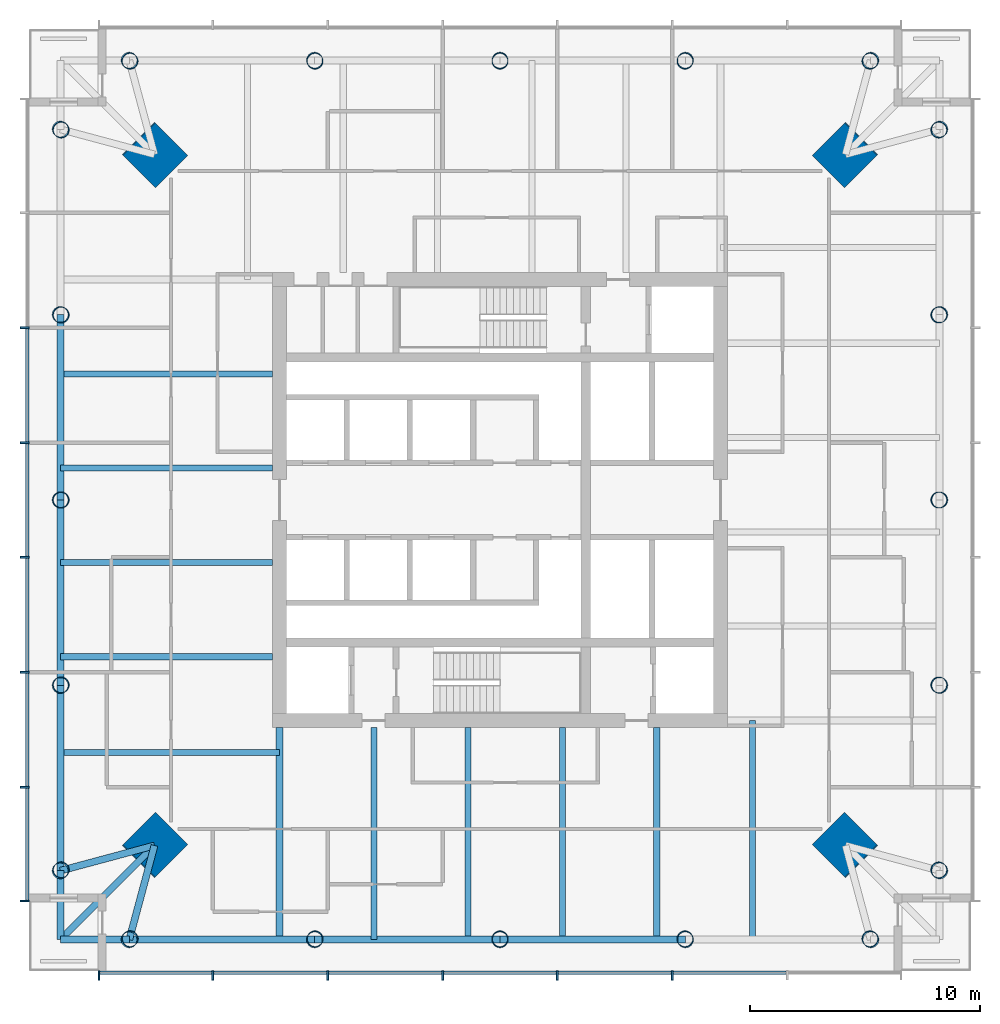
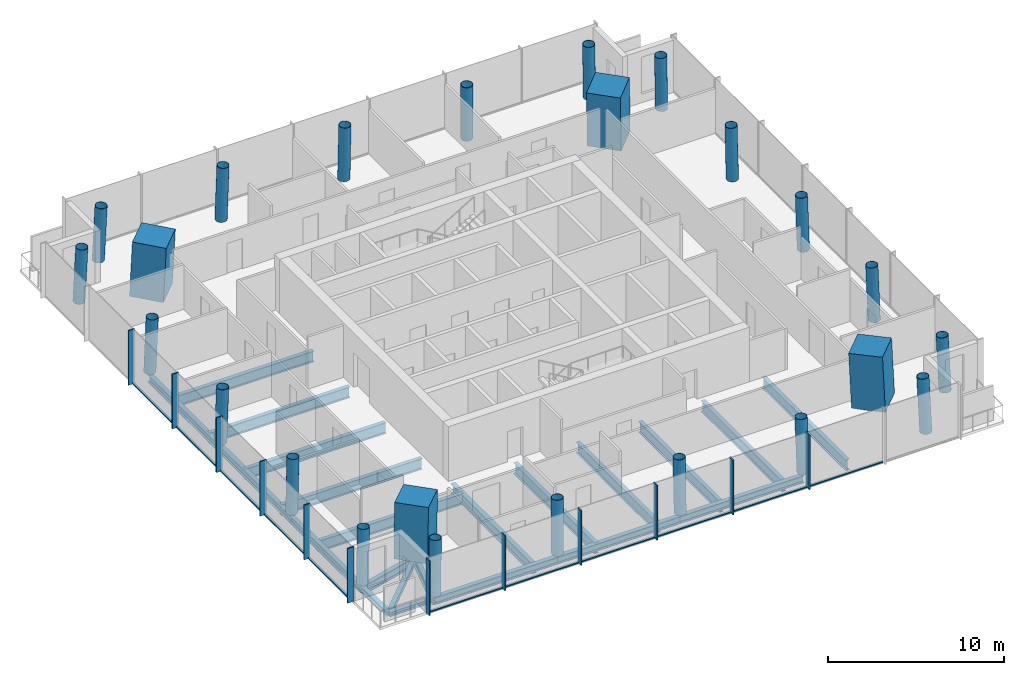
# One storey, part 1 of 8: 24 columns, 23 members, 22 beams, 2 elements without a shape of their own.
"""IFC4 building model written with IfcOpenShell, lengths in metres."""

from ifc_helpers import new_model, si_unit, direction, frame, origin, origin_2d, place, context, subcontext, project, spatial, rectangle, hollow_circle, i_section, extrude, material, material_profile, profile_set, type_object, element, aggregate, save


model = new_model("IFC4")

# Units and contexts
model_context = context("Model", 3, precision=1e-05, world=origin(), true_north=direction((0.0, 1.0)))
body_context = subcontext(model_context, "Body", "Model", "MODEL_VIEW")
ifc_project = project(units=[si_unit("LENGTHUNIT", "METRE"), si_unit("AREAUNIT", "SQUARE_METRE"), si_unit("VOLUMEUNIT", "CUBIC_METRE"), si_unit("PLANEANGLEUNIT", "RADIAN"), si_unit("MASSUNIT", "GRAM", prefix="KILO")], contexts=[model_context])

# Site, building, storey
site_placement = place(None, origin())
site = spatial("IfcSite", under=ifc_project, at=site_placement, CompositionType="ELEMENT")
building_placement = place(site_placement, origin())
building = spatial("IfcBuilding", under=site, at=building_placement, Name="Ostroluk Exchange", CompositionType="ELEMENT")
storey_placement = place(building_placement, frame((0.0, 0.0, 173.0)))
storey = spatial("IfcBuildingStorey", under=building, at=storey_placement, Name="L44", CompositionType="ELEMENT", Elevation=173.0)

# Columns
ifc_material_1 = material(Name="Concrete C50/60", Category="concrete")
ifc_material_profile_1 = material_profile(ifc_material_1, rectangle(XDim=2.0, YDim=2.0, at=origin_2d()), Name="RC 2000x2000")
ifc_profile_set_1 = profile_set([ifc_material_profile_1], Name="Concrete C50/60")
column_type_1 = type_object("IfcColumnType", Name="Mega column RC 2000x2000", PredefinedType="COLUMN", material=ifc_profile_set_1)
for number, where, z_axis, x_axis, name in (
    (1, (60.04296875, 61.04296875, 0.0), (-0.031962158256, -0.031962158256, 0.998977898093), (0.707106781187, -0.707106781187, 0.0), "T1 mega column NE"),
    (2, (29.95703125, 61.04296875, 0.0), (0.031962158256, -0.031962158256, 0.998977898093), (0.707106781187, 0.707106781187, 0.0), "T1 mega column NW"),
    (3, (29.95703125, 30.95703125, 0.0), (0.031962158256, 0.031962158256, 0.998977898093), (-0.707106781187, 0.707106781187, 0.0), "T1 mega column SW"),
    (4, (60.04296875, 30.95703125, 0.0), (-0.031962158256, 0.031962158256, 0.998977898093), (-0.707106781187, -0.707106781187, 0.0), "T1 mega column SE"),
):
    element("IfcColumn", number, at=place(storey_placement, frame(where, z_axis=z_axis, x_axis=x_axis)), inside=storey, type_object=column_type_1, Name=name, PredefinedType="COLUMN", context=body_context, shape_type="SweptSolid", body=[
        extrude(rectangle(XDim=2.0, YDim=2.0, at=origin_2d()), origin(), (0.0, 0.0, 1.0), 3.803955078125),
    ])
ifc_material_2 = material(Name="Steel S460", Category="steel")
ifc_material_profile_2 = material_profile(ifc_material_2, hollow_circle(Radius=0.35546875, WallThickness=0.02490234375, at=origin_2d()), Name="CHS 711x25")
ifc_profile_set_2 = profile_set([ifc_material_profile_2], Name="Steel S460")
column_type_2 = type_object("IfcColumnType", Name="Perimeter column CHS 711x25", PredefinedType="COLUMN", material=ifc_profile_set_2)
for number, where, z_axis, x_axis, name in (
    (5, (64.142822265625, 29.857177734375, 0.0), (-0.031898107953, 0.031898107953, 0.998981992539), (-0.707106781187, -0.707106781187, 0.0), "T1 east face column E0"),
    (6, (64.142822265625, 62.142822265625, 0.0), (-0.031898107953, -0.031898107953, 0.998981992539), (0.707106781187, -0.707106781187, 0.0), "T1 east face column E1"),
):
    element("IfcColumn", number, at=place(storey_placement, frame(where, z_axis=z_axis, x_axis=x_axis)), inside=storey, type_object=column_type_2, Name=name, PredefinedType="COLUMN", context=body_context, shape_type="SweptSolid", body=[
        extrude(hollow_circle(Radius=0.35546875, WallThickness=0.02490234375, at=origin_2d()), origin(), (0.0, 0.0, 1.0), 3.803955078125),
    ])
column_1_placement = place(storey_placement, frame((64.142822265625, 37.928466796875, 0.0), z_axis=(-0.031910269556, 0.015987237665, 0.999362868496), x_axis=(-0.447933021895, -0.894067115991, 0.0)))
element("IfcColumn", 7, at=column_1_placement, inside=storey, type_object=column_type_2, Name="T1 east face column I1", PredefinedType="COLUMN", context=body_context, shape_type="SweptSolid", body=[
    extrude(hollow_circle(Radius=0.35546875, WallThickness=0.02490234375, at=origin_2d()), origin(), (0.0, 0.0, 1.0), 3.802490234375),
])
column_2_placement = place(storey_placement, frame((64.142822265625, 46.0, 0.0), z_axis=(-0.031914348339, 0.0, 0.999490607445), x_axis=(0.0, -1.0, 0.0)))
element("IfcColumn", 8, at=column_2_placement, inside=storey, type_object=column_type_2, Name="T1 east face column I2", PredefinedType="COLUMN", context=body_context, shape_type="SweptSolid", body=[
    extrude(hollow_circle(Radius=0.35546875, WallThickness=0.02490234375, at=origin_2d()), origin(), (0.0, 0.0, 1.0), 3.802001953125),
])
column_3_placement = place(storey_placement, frame((64.142822265625, 54.071533203125, 0.0), z_axis=(-0.031910269556, -0.015987237665, 0.999362868496), x_axis=(0.447933021895, -0.894067115991, 0.0)))
element("IfcColumn", 9, at=column_3_placement, inside=storey, type_object=column_type_2, Name="T1 east face column I3", PredefinedType="COLUMN", context=body_context, shape_type="SweptSolid", body=[
    extrude(hollow_circle(Radius=0.35546875, WallThickness=0.02490234375, at=origin_2d()), origin(), (0.0, 0.0, 1.0), 3.802490234375),
])
for number, where, z_axis, x_axis, name in (
    (10, (61.142822265625, 65.142822265625, 0.0), (-0.031898107953, -0.031898107953, 0.998981992539), (0.707106781187, -0.707106781187, 0.0), "T1 north face column E0"),
    (11, (28.857177734375, 65.142822265625, 0.0), (0.031898107953, -0.031898107953, 0.998981992539), (0.707106781187, 0.707106781187, 0.0), "T1 north face column E1"),
):
    element("IfcColumn", number, at=place(storey_placement, frame(where, z_axis=z_axis, x_axis=x_axis)), inside=storey, type_object=column_type_2, Name=name, PredefinedType="COLUMN", context=body_context, shape_type="SweptSolid", body=[
        extrude(hollow_circle(Radius=0.35546875, WallThickness=0.02490234375, at=origin_2d()), origin(), (0.0, 0.0, 1.0), 3.803955078125),
    ])
column_4_placement = place(storey_placement, frame((53.071533203125, 65.142822265625, 0.0), z_axis=(-0.015987237665, -0.031910269556, 0.999362868496), x_axis=(0.894067115991, -0.447933021895, 0.0)))
element("IfcColumn", 12, at=column_4_placement, inside=storey, type_object=column_type_2, Name="T1 north face column I1", PredefinedType="COLUMN", context=body_context, shape_type="SweptSolid", body=[
    extrude(hollow_circle(Radius=0.35546875, WallThickness=0.02490234375, at=origin_2d()), origin(), (0.0, 0.0, 1.0), 3.802490234375),
])
column_5_placement = place(storey_placement, frame((45.0, 65.142822265625, 0.0), z_axis=(0.0, -0.031914348339, 0.999490607445), x_axis=(1.0, 0.0, 0.0)))
element("IfcColumn", 13, at=column_5_placement, inside=storey, type_object=column_type_2, Name="T1 north face column I2", PredefinedType="COLUMN", context=body_context, shape_type="SweptSolid", body=[
    extrude(hollow_circle(Radius=0.35546875, WallThickness=0.02490234375, at=origin_2d()), origin(), (0.0, 0.0, 1.0), 3.802001953125),
])
column_6_placement = place(storey_placement, frame((36.928466796875, 65.142822265625, 0.0), z_axis=(0.015987237665, -0.031910269556, 0.999362868496), x_axis=(0.894067115991, 0.447933021895, 0.0)))
element("IfcColumn", 14, at=column_6_placement, inside=storey, type_object=column_type_2, Name="T1 north face column I3", PredefinedType="COLUMN", context=body_context, shape_type="SweptSolid", body=[
    extrude(hollow_circle(Radius=0.35546875, WallThickness=0.02490234375, at=origin_2d()), origin(), (0.0, 0.0, 1.0), 3.802490234375),
])
for number, where, z_axis, x_axis, name in (
    (15, (25.857177734375, 62.142822265625, 0.0), (0.031898107953, -0.031898107953, 0.998981992539), (0.707106781187, 0.707106781187, 0.0), "T1 west face column E0"),
    (16, (25.857177734375, 29.857177734375, 0.0), (0.031898107953, 0.031898107953, 0.998981992539), (-0.707106781187, 0.707106781187, 0.0), "T1 west face column E1"),
):
    element("IfcColumn", number, at=place(storey_placement, frame(where, z_axis=z_axis, x_axis=x_axis)), inside=storey, type_object=column_type_2, Name=name, PredefinedType="COLUMN", context=body_context, shape_type="SweptSolid", body=[
        extrude(hollow_circle(Radius=0.35546875, WallThickness=0.02490234375, at=origin_2d()), origin(), (0.0, 0.0, 1.0), 3.803955078125),
    ])
column_7_placement = place(storey_placement, frame((25.857177734375, 54.071533203125, 0.0), z_axis=(0.031910269556, -0.015987237665, 0.999362868496), x_axis=(0.447933021895, 0.894067115991, 0.0)))
element("IfcColumn", 17, at=column_7_placement, inside=storey, type_object=column_type_2, Name="T1 west face column I1", PredefinedType="COLUMN", context=body_context, shape_type="SweptSolid", body=[
    extrude(hollow_circle(Radius=0.35546875, WallThickness=0.02490234375, at=origin_2d()), origin(), (0.0, 0.0, 1.0), 3.802490234375),
])
column_8_placement = place(storey_placement, frame((25.857177734375, 46.0, 0.0), z_axis=(0.031914348339, 0.0, 0.999490607445), x_axis=(0.0, 1.0, 0.0)))
element("IfcColumn", 18, at=column_8_placement, inside=storey, type_object=column_type_2, Name="T1 west face column I2", PredefinedType="COLUMN", context=body_context, shape_type="SweptSolid", body=[
    extrude(hollow_circle(Radius=0.35546875, WallThickness=0.02490234375, at=origin_2d()), origin(), (0.0, 0.0, 1.0), 3.802001953125),
])
column_9_placement = place(storey_placement, frame((25.857177734375, 37.928466796875, 0.0), z_axis=(0.031910269556, 0.015987237665, 0.999362868496), x_axis=(-0.447933021895, 0.894067115991, 0.0)))
element("IfcColumn", 19, at=column_9_placement, inside=storey, type_object=column_type_2, Name="T1 west face column I3", PredefinedType="COLUMN", context=body_context, shape_type="SweptSolid", body=[
    extrude(hollow_circle(Radius=0.35546875, WallThickness=0.02490234375, at=origin_2d()), origin(), (0.0, 0.0, 1.0), 3.802490234375),
])
for number, where, z_axis, x_axis, name in (
    (20, (28.857177734375, 26.857177734375, 0.0), (0.031898107953, 0.031898107953, 0.998981992539), (-0.707106781187, 0.707106781187, 0.0), "T1 south face column E0"),
    (21, (61.142822265625, 26.857177734375, 0.0), (-0.031898107953, 0.031898107953, 0.998981992539), (-0.707106781187, -0.707106781187, 0.0), "T1 south face column E1"),
):
    element("IfcColumn", number, at=place(storey_placement, frame(where, z_axis=z_axis, x_axis=x_axis)), inside=storey, type_object=column_type_2, Name=name, PredefinedType="COLUMN", context=body_context, shape_type="SweptSolid", body=[
        extrude(hollow_circle(Radius=0.35546875, WallThickness=0.02490234375, at=origin_2d()), origin(), (0.0, 0.0, 1.0), 3.803955078125),
    ])
column_10_placement = place(storey_placement, frame((36.928466796875, 26.857177734375, 0.0), z_axis=(0.015987237665, 0.031910269556, 0.999362868496), x_axis=(-0.894067115991, 0.447933021895, 0.0)))
element("IfcColumn", 22, at=column_10_placement, inside=storey, type_object=column_type_2, Name="T1 south face column I1", PredefinedType="COLUMN", context=body_context, shape_type="SweptSolid", body=[
    extrude(hollow_circle(Radius=0.35546875, WallThickness=0.02490234375, at=origin_2d()), origin(), (0.0, 0.0, 1.0), 3.802490234375),
])
column_11_placement = place(storey_placement, frame((45.0, 26.857177734375, 0.0), z_axis=(0.0, 0.031914348339, 0.999490607445), x_axis=(-1.0, 0.0, 0.0)))
element("IfcColumn", 23, at=column_11_placement, inside=storey, type_object=column_type_2, Name="T1 south face column I2", PredefinedType="COLUMN", context=body_context, shape_type="SweptSolid", body=[
    extrude(hollow_circle(Radius=0.35546875, WallThickness=0.02490234375, at=origin_2d()), origin(), (0.0, 0.0, 1.0), 3.802001953125),
])
column_12_placement = place(storey_placement, frame((53.071533203125, 26.857177734375, 0.0), z_axis=(-0.015987237665, 0.031910269556, 0.999362868496), x_axis=(-0.894067115991, -0.447933021895, 0.0)))
element("IfcColumn", 24, at=column_12_placement, inside=storey, type_object=column_type_2, Name="T1 south face column I3", PredefinedType="COLUMN", context=body_context, shape_type="SweptSolid", body=[
    extrude(hollow_circle(Radius=0.35546875, WallThickness=0.02490234375, at=origin_2d()), origin(), (0.0, 0.0, 1.0), 3.802490234375),
])

# Beams
ifc_material_3 = material(Name="Steel S355", Category="steel")
ifc_material_profile_3 = material_profile(ifc_material_3, i_section(OverallWidth=0.300048828125, OverallDepth=0.300048828125, WebThickness=0.010986328125, FlangeThickness=0.01904296875, FilletRadius=0.027099609375, at=origin_2d()), Name="HEB 300")
ifc_profile_set_3 = profile_set([ifc_material_profile_3], Name="Steel S355")
beam_type_1 = type_object("IfcBeamType", Name="Balcony beam HEB 300", PredefinedType="BEAM", material=ifc_profile_set_3)
for number, where, z_axis, x_axis, name in (
    (25, (25.857177734375, 29.857177734375, -0.330078125), (0.0, -1.0, 0.0), (1.0, 0.0, 0.0), "T1 west balcony beam a"),
    (26, (28.857177734375, 26.857177734375, -0.330078125), (-1.0, 0.0, 0.0), (0.0, -1.0, 0.0), "T1 west balcony beam b"),
):
    element("IfcBeam", number, at=place(storey_placement, frame(where, z_axis=z_axis, x_axis=x_axis)), inside=storey, type_object=beam_type_1, Name=name, PredefinedType="BEAM", context=body_context, shape_type="SweptSolid", body=[
        extrude(i_section(OverallWidth=0.300048828125, OverallDepth=0.300048828125, WebThickness=0.010986328125, FlangeThickness=0.01904296875, FilletRadius=0.027099609375, at=origin_2d()), origin(), (0.0, 0.0, 1.0), 3.0),
    ])
beam_1_placement = place(storey_placement, frame((29.95703125, 30.95703125, -0.330078125), z_axis=(-0.707106781187, -0.707106781187, 0.0), x_axis=(0.707106781187, -0.707106781187, 0.0)))
element("IfcBeam", 27, at=beam_1_placement, inside=storey, type_object=beam_type_1, Name="T1 west balcony beam c", PredefinedType="BEAM", context=body_context, shape_type="SweptSolid", body=[
    extrude(i_section(OverallWidth=0.300048828125, OverallDepth=0.300048828125, WebThickness=0.010986328125, FlangeThickness=0.01904296875, FilletRadius=0.027099609375, at=origin_2d()), origin(), (0.0, 0.0, 1.0), 5.798095703125),
])
ifc_material_4 = material(Name="Steel S355", Category="steel")
ifc_material_profile_4 = material_profile(ifc_material_4, i_section(OverallWidth=0.300048828125, OverallDepth=0.60009765625, WebThickness=0.015380859375, FlangeThickness=0.030029296875, FilletRadius=0.027099609375, at=origin_2d()), Name="HEB 600")
ifc_profile_set_4 = profile_set([ifc_material_profile_4], Name="Steel S355")
beam_type_2 = type_object("IfcBeamType", Name="Corner edge beam HEB 600", PredefinedType="SPANDREL", material=ifc_profile_set_4)
for number, where, z_axis, x_axis, name in (
    (28, (29.95703125, 30.95703125, -0.47998046875), (-0.965849156574, -0.259105011038, 0.0), (0.259105011038, -0.965849156574, 0.0), "T1 west corner edge beam a"),
    (29, (29.95703125, 30.95703125, -0.47998046875), (-0.259105011038, -0.965849156574, 0.0), (0.965849156574, -0.259105011038, 0.0), "T1 west corner edge beam b"),
):
    element("IfcBeam", number, at=place(storey_placement, frame(where, z_axis=z_axis, x_axis=x_axis)), inside=storey, type_object=beam_type_2, Name=name, PredefinedType="SPANDREL", context=body_context, shape_type="SweptSolid", body=[
        extrude(i_section(OverallWidth=0.300048828125, OverallDepth=0.60009765625, WebThickness=0.015380859375, FlangeThickness=0.030029296875, FilletRadius=0.027099609375, at=origin_2d()), origin(), (0.0, 0.0, 1.0), 4.244873046875),
    ])
ifc_material_5 = material(Name="Steel S355", Category="steel")
ifc_material_profile_5 = material_profile(ifc_material_5, i_section(OverallWidth=0.264892578125, OverallDepth=0.7529296875, WebThickness=0.01318359375, FlangeThickness=0.01708984375, FilletRadius=0.01708984375, at=origin_2d()), Name="IPE 750x147")
ifc_profile_set_5 = profile_set([ifc_material_profile_5], Name="Steel S355")
beam_type_3 = type_object("IfcBeamType", Name="Floor beam IPE 750x147", PredefinedType="BEAM", material=ifc_profile_set_5)
for number, where, z_axis, x_axis, name in (
    (30, (35.10009765625, 51.493896484375, -0.556396484375), (-1.0, 0.0, 0.0), (0.0, -1.0, 0.0), "T1 west floor beam 1"),
    (31, (35.10009765625, 47.3876953125, -0.556396484375), (-1.0, 0.0, 0.0), (0.0, -1.0, 0.0), "T1 west floor beam 2"),
    (32, (35.10009765625, 43.28173828125, -0.556396484375), (-1.0, 0.0, 0.0), (0.0, -1.0, 0.0), "T1 west floor beam 3"),
    (33, (35.10009765625, 39.175537109375, -0.556396484375), (-1.0, 0.0, 0.0), (0.0, -1.0, 0.0), "T1 west floor beam 4"),
):
    element("IfcBeam", number, at=place(storey_placement, frame(where, z_axis=z_axis, x_axis=x_axis)), inside=storey, type_object=beam_type_3, Name=name, PredefinedType="BEAM", context=body_context, shape_type="SweptSolid", body=[
        extrude(i_section(OverallWidth=0.264892578125, OverallDepth=0.7529296875, WebThickness=0.01318359375, FlangeThickness=0.01708984375, FilletRadius=0.01708984375, at=origin_2d()), origin(), (0.0, 0.0, 1.0), 9.242919921875),
    ])
beam_2_placement = place(storey_placement, frame((35.39990234375, 35.0, -0.556396484375), z_axis=(-1.0, 0.0, 0.0), x_axis=(0.0, -1.0, 0.0)))
element("IfcBeam", 34, at=beam_2_placement, inside=storey, type_object=beam_type_3, Name="T1 west floor beam 5", PredefinedType="BEAM", context=body_context, shape_type="SweptSolid", body=[
    extrude(i_section(OverallWidth=0.264892578125, OverallDepth=0.7529296875, WebThickness=0.01318359375, FlangeThickness=0.01708984375, FilletRadius=0.01708984375, at=origin_2d()), origin(), (0.0, 0.0, 1.0), 9.542724609375),
])
for number, where, z_axis, x_axis, name in (
    (35, (39.506103515625, 36.10009765625, -0.556396484375), (0.0, -1.0, 0.0), (1.0, 0.0, 0.0), "T1 south floor beam 1"),
    (36, (43.6123046875, 36.10009765625, -0.556396484375), (0.0, -1.0, 0.0), (1.0, 0.0, 0.0), "T1 south floor beam 2"),
    (37, (47.71826171875, 36.10009765625, -0.556396484375), (0.0, -1.0, 0.0), (1.0, 0.0, 0.0), "T1 south floor beam 3"),
    (38, (51.824462890625, 36.10009765625, -0.556396484375), (0.0, -1.0, 0.0), (1.0, 0.0, 0.0), "T1 south floor beam 4"),
):
    element("IfcBeam", number, at=place(storey_placement, frame(where, z_axis=z_axis, x_axis=x_axis)), inside=storey, type_object=beam_type_3, Name=name, PredefinedType="BEAM", context=body_context, shape_type="SweptSolid", body=[
        extrude(i_section(OverallWidth=0.264892578125, OverallDepth=0.7529296875, WebThickness=0.01318359375, FlangeThickness=0.01708984375, FilletRadius=0.01708984375, at=origin_2d()), origin(), (0.0, 0.0, 1.0), 9.242919921875),
    ])
beam_3_placement = place(storey_placement, frame((56.0, 36.39990234375, -0.556396484375), z_axis=(0.0, -1.0, 0.0), x_axis=(1.0, 0.0, 0.0)))
element("IfcBeam", 39, at=beam_3_placement, inside=storey, type_object=beam_type_3, Name="T1 south floor beam 5", PredefinedType="BEAM", context=body_context, shape_type="SweptSolid", body=[
    extrude(i_section(OverallWidth=0.264892578125, OverallDepth=0.7529296875, WebThickness=0.01318359375, FlangeThickness=0.01708984375, FilletRadius=0.01708984375, at=origin_2d()), origin(), (0.0, 0.0, 1.0), 9.542724609375),
])
ifc_material_6 = material(Name="Steel S355", Category="steel")
ifc_material_profile_6 = material_profile(ifc_material_6, i_section(OverallWidth=0.300048828125, OverallDepth=0.699951171875, WebThickness=0.01708984375, FlangeThickness=0.031982421875, FilletRadius=0.027099609375, at=origin_2d()), Name="HEB 700")
ifc_profile_set_6 = profile_set([ifc_material_profile_6], Name="Steel S355")
beam_type_4 = type_object("IfcBeamType", Name="Girder HEB 700", PredefinedType="BEAM", material=ifc_profile_set_6)
beam_4_placement = place(storey_placement, frame((35.39990234375, 36.10009765625, -0.530029296875), z_axis=(0.0, -1.0, 0.0), x_axis=(1.0, 0.0, 0.0)))
element("IfcBeam", 40, at=beam_4_placement, inside=storey, type_object=beam_type_4, Name="T1 west girder", PredefinedType="BEAM", context=body_context, shape_type="SweptSolid", body=[
    extrude(i_section(OverallWidth=0.300048828125, OverallDepth=0.699951171875, WebThickness=0.01708984375, FlangeThickness=0.031982421875, FilletRadius=0.027099609375, at=origin_2d()), origin(), (0.0, 0.0, 1.0), 9.242919921875),
])
ifc_material_7 = material(Name="Steel S355", Category="steel")
ifc_material_profile_7 = material_profile(ifc_material_7, i_section(OverallWidth=0.300048828125, OverallDepth=0.5, WebThickness=0.014404296875, FlangeThickness=0.028076171875, FilletRadius=0.027099609375, at=origin_2d()), Name="HEB 500")
ifc_profile_set_7 = profile_set([ifc_material_profile_7], Name="Steel S355")
beam_type_5 = type_object("IfcBeamType", Name="Moment-connected edge beam HEB 500", PredefinedType="SPANDREL", material=ifc_profile_set_7)
for number, where, z_axis, x_axis, name in (
    (41, (25.857177734375, 54.071533203125, -0.429931640625), (0.0, -1.0, 0.0), (1.0, 0.0, 0.0), "T1 west edge beam 2"),
    (42, (25.857177734375, 46.0, -0.429931640625), (0.0, -1.0, 0.0), (1.0, 0.0, 0.0), "T1 west edge beam 3"),
):
    element("IfcBeam", number, at=place(storey_placement, frame(where, z_axis=z_axis, x_axis=x_axis)), inside=storey, type_object=beam_type_5, Name=name, PredefinedType="SPANDREL", context=body_context, shape_type="SweptSolid", body=[
        extrude(i_section(OverallWidth=0.300048828125, OverallDepth=0.5, WebThickness=0.014404296875, FlangeThickness=0.028076171875, FilletRadius=0.027099609375, at=origin_2d()), origin(), (0.0, 0.0, 1.0), 8.071533203125),
    ])
for number, where, z_axis, x_axis, name in (
    (43, (25.857177734375, 37.928466796875, -0.429931640625), (0.0, -1.0, 0.0), (1.0, 0.0, 0.0), "T1 west edge beam 4"),
    (44, (28.857177734375, 26.857177734375, -0.429931640625), (1.0, 0.0, 0.0), (0.0, 1.0, 0.0), "T1 south edge beam 1"),
):
    element("IfcBeam", number, at=place(storey_placement, frame(where, z_axis=z_axis, x_axis=x_axis)), inside=storey, type_object=beam_type_5, Name=name, PredefinedType="SPANDREL", context=body_context, shape_type="SweptSolid", body=[
        extrude(i_section(OverallWidth=0.300048828125, OverallDepth=0.5, WebThickness=0.014404296875, FlangeThickness=0.028076171875, FilletRadius=0.027099609375, at=origin_2d()), origin(), (0.0, 0.0, 1.0), 8.0712890625),
    ])
for number, where, z_axis, x_axis, name in (
    (45, (36.928466796875, 26.857177734375, -0.429931640625), (1.0, 0.0, 0.0), (0.0, 1.0, 0.0), "T1 south edge beam 2"),
    (46, (45.0, 26.857177734375, -0.429931640625), (1.0, 0.0, 0.0), (0.0, 1.0, 0.0), "T1 south edge beam 3"),
):
    element("IfcBeam", number, at=place(storey_placement, frame(where, z_axis=z_axis, x_axis=x_axis)), inside=storey, type_object=beam_type_5, Name=name, PredefinedType="SPANDREL", context=body_context, shape_type="SweptSolid", body=[
        extrude(i_section(OverallWidth=0.300048828125, OverallDepth=0.5, WebThickness=0.014404296875, FlangeThickness=0.028076171875, FilletRadius=0.027099609375, at=origin_2d()), origin(), (0.0, 0.0, 1.0), 8.071533203125),
    ])

# Curtain wall, members
ifc_material_8 = material(Name="Laminated clear glass", Category="glass")
curtain_wall_type = type_object("IfcCurtainWallType", Name="Office tower facade", PredefinedType="USERDEFINED", material=ifc_material_8)
curtain_wall_1_placement = place(storey_placement, origin())
curtain_wall_1 = element("IfcCurtainWall", 47, at=curtain_wall_1_placement, inside=storey, type_object=curtain_wall_type, Name="Office tower south facade L44", ObjectType="UNITISED CURTAIN WALL", PredefinedType="USERDEFINED")
ifc_material_9 = material(Name="Aluminium mullion", Category="aluminium")
ifc_material_profile_8 = material_profile(ifc_material_9, rectangle(XDim=0.14990234375, YDim=0.080078125, at=origin_2d()), Name="Sill transom 80 x 150")
ifc_profile_set_8 = profile_set([ifc_material_profile_8], Name="Aluminium mullion")
member_type_1 = type_object("IfcMemberType", Name="Sill transom 80 x 150", PredefinedType="USERDEFINED", material=ifc_profile_set_8)
member_1_placement = place(storey_placement, frame((27.580078125, 25.425048828125, 0.0400390625), z_axis=(1.0, 0.0, 0.0), x_axis=(0.0, 1.0, 0.0)))
member_1 = element("IfcMember", 48, at=member_1_placement, type_object=member_type_1, Name="CW-O1 transom 1.1", ObjectType="TRANSOM", PredefinedType="USERDEFINED", context=body_context, shape_type="SweptSolid", body=[
    extrude(rectangle(XDim=0.14990234375, YDim=0.080078125, at=origin_2d()), origin(), (0.0, 0.0, 1.0), 4.8798828125),
])
member_2_placement = place(storey_placement, frame((32.5400390625, 25.425048828125, 0.0400390625), z_axis=(1.0, 0.0, 0.0), x_axis=(0.0, 1.0, 0.0)))
member_2 = element("IfcMember", 49, at=member_2_placement, type_object=member_type_1, Name="CW-O1 transom 2.1", ObjectType="TRANSOM", PredefinedType="USERDEFINED", context=body_context, shape_type="SweptSolid", body=[
    extrude(rectangle(XDim=0.14990234375, YDim=0.080078125, at=origin_2d()), origin(), (0.0, 0.0, 1.0), 4.919921875),
])
member_3_placement = place(storey_placement, frame((37.5400390625, 25.425048828125, 0.0400390625), z_axis=(1.0, 0.0, 0.0), x_axis=(0.0, 1.0, 0.0)))
member_3 = element("IfcMember", 50, at=member_3_placement, type_object=member_type_1, Name="CW-O1 transom 3.1", ObjectType="TRANSOM", PredefinedType="USERDEFINED", context=body_context, shape_type="SweptSolid", body=[
    extrude(rectangle(XDim=0.14990234375, YDim=0.080078125, at=origin_2d()), origin(), (0.0, 0.0, 1.0), 4.919921875),
])
member_4_placement = place(storey_placement, frame((42.5400390625, 25.425048828125, 0.0400390625), z_axis=(1.0, 0.0, 0.0), x_axis=(0.0, 1.0, 0.0)))
member_4 = element("IfcMember", 51, at=member_4_placement, type_object=member_type_1, Name="CW-O1 transom 4.1", ObjectType="TRANSOM", PredefinedType="USERDEFINED", context=body_context, shape_type="SweptSolid", body=[
    extrude(rectangle(XDim=0.14990234375, YDim=0.080078125, at=origin_2d()), origin(), (0.0, 0.0, 1.0), 4.919921875),
])
member_5_placement = place(storey_placement, frame((47.5400390625, 25.425048828125, 0.0400390625), z_axis=(1.0, 0.0, 0.0), x_axis=(0.0, 1.0, 0.0)))
member_5 = element("IfcMember", 52, at=member_5_placement, type_object=member_type_1, Name="CW-O1 transom 5.1", ObjectType="TRANSOM", PredefinedType="USERDEFINED", context=body_context, shape_type="SweptSolid", body=[
    extrude(rectangle(XDim=0.14990234375, YDim=0.080078125, at=origin_2d()), origin(), (0.0, 0.0, 1.0), 4.919921875),
])
member_6_placement = place(storey_placement, frame((52.5400390625, 25.425048828125, 0.0400390625), z_axis=(1.0, 0.0, 0.0), x_axis=(0.0, 1.0, 0.0)))
member_6 = element("IfcMember", 53, at=member_6_placement, type_object=member_type_1, Name="CW-O1 transom 6.1", ObjectType="TRANSOM", PredefinedType="USERDEFINED", context=body_context, shape_type="SweptSolid", body=[
    extrude(rectangle(XDim=0.14990234375, YDim=0.080078125, at=origin_2d()), origin(), (0.0, 0.0, 1.0), 4.919921875),
])

curtain_wall_2_placement = place(storey_placement, origin())
curtain_wall_2 = element("IfcCurtainWall", 54, at=curtain_wall_2_placement, inside=storey, type_object=curtain_wall_type, Name="Office tower west facade L44", ObjectType="UNITISED CURTAIN WALL", PredefinedType="USERDEFINED")
member_7_placement = place(storey_placement, frame((24.425048828125, 53.4599609375, 0.0400390625), z_axis=(0.0, -1.0, 0.0), x_axis=(1.0, 0.0, 0.0)))
member_7 = element("IfcMember", 55, at=member_7_placement, type_object=member_type_1, Name="CW-O1 transom 3.1", ObjectType="TRANSOM", PredefinedType="USERDEFINED", context=body_context, shape_type="SweptSolid", body=[
    extrude(rectangle(XDim=0.14990234375, YDim=0.080078125, at=origin_2d()), origin(), (0.0, 0.0, 1.0), 4.919921875),
])
member_8_placement = place(storey_placement, frame((24.425048828125, 48.4599609375, 0.0400390625), z_axis=(0.0, -1.0, 0.0), x_axis=(1.0, 0.0, 0.0)))
member_8 = element("IfcMember", 56, at=member_8_placement, type_object=member_type_1, Name="CW-O1 transom 4.1", ObjectType="TRANSOM", PredefinedType="USERDEFINED", context=body_context, shape_type="SweptSolid", body=[
    extrude(rectangle(XDim=0.14990234375, YDim=0.080078125, at=origin_2d()), origin(), (0.0, 0.0, 1.0), 4.919921875),
])
member_9_placement = place(storey_placement, frame((24.425048828125, 43.4599609375, 0.0400390625), z_axis=(0.0, -1.0, 0.0), x_axis=(1.0, 0.0, 0.0)))
member_9 = element("IfcMember", 57, at=member_9_placement, type_object=member_type_1, Name="CW-O1 transom 5.1", ObjectType="TRANSOM", PredefinedType="USERDEFINED", context=body_context, shape_type="SweptSolid", body=[
    extrude(rectangle(XDim=0.14990234375, YDim=0.080078125, at=origin_2d()), origin(), (0.0, 0.0, 1.0), 4.919921875),
])
member_10_placement = place(storey_placement, frame((24.425048828125, 38.4599609375, 0.0400390625), z_axis=(0.0, -1.0, 0.0), x_axis=(1.0, 0.0, 0.0)))
member_10 = element("IfcMember", 58, at=member_10_placement, type_object=member_type_1, Name="CW-O1 transom 6.1", ObjectType="TRANSOM", PredefinedType="USERDEFINED", context=body_context, shape_type="SweptSolid", body=[
    extrude(rectangle(XDim=0.14990234375, YDim=0.080078125, at=origin_2d()), origin(), (0.0, 0.0, 1.0), 4.919921875),
])
member_11_placement = place(storey_placement, frame((24.425048828125, 33.4599609375, 0.0400390625), z_axis=(0.0, -1.0, 0.0), x_axis=(1.0, 0.0, 0.0)))
member_11 = element("IfcMember", 59, at=member_11_placement, type_object=member_type_1, Name="CW-O1 transom 7.1", ObjectType="TRANSOM", PredefinedType="USERDEFINED", context=body_context, shape_type="SweptSolid", body=[
    extrude(rectangle(XDim=0.14990234375, YDim=0.080078125, at=origin_2d()), origin(), (0.0, 0.0, 1.0), 4.8798828125),
])

# Member
ifc_material_10 = material(Name="Aluminium mullion with limestone facing", Category="masonry")
ifc_material_profile_9 = material_profile(ifc_material_10, rectangle(XDim=0.39990234375, YDim=0.080078125, at=origin_2d()), Name="Tracery mullion 80 x 400")
ifc_profile_set_9 = profile_set([ifc_material_profile_9], Name="Aluminium mullion with limestone facing")
member_type_2 = type_object("IfcMemberType", Name="Tracery mullion 80 x 400", PredefinedType="MULLION", material=ifc_profile_set_9)
member_12_placement = place(storey_placement, frame((27.5400390625, 25.300048828125, 0.0), z_axis=(0.0, 0.0, 1.0), x_axis=(0.0, 1.0, 0.0)))
member_12 = element("IfcMember", 60, at=member_12_placement, type_object=member_type_2, Name="CW-O1 mullion 1", PredefinedType="MULLION", context=body_context, shape_type="SweptSolid", body=[
    extrude(rectangle(XDim=0.39990234375, YDim=0.080078125, at=origin_2d()), origin(), (0.0, 0.0, 1.0), 3.800048828125),
])

member_13_placement = place(storey_placement, frame((32.5, 25.300048828125, 0.0), z_axis=(0.0, 0.0, 1.0), x_axis=(0.0, 1.0, 0.0)))
member_13 = element("IfcMember", 61, at=member_13_placement, type_object=member_type_2, Name="CW-O1 mullion 2", PredefinedType="MULLION", context=body_context, shape_type="SweptSolid", body=[
    extrude(rectangle(XDim=0.39990234375, YDim=0.080078125, at=origin_2d()), origin(), (0.0, 0.0, 1.0), 3.800048828125),
])

member_14_placement = place(storey_placement, frame((37.5, 25.300048828125, 0.0), z_axis=(0.0, 0.0, 1.0), x_axis=(0.0, 1.0, 0.0)))
member_14 = element("IfcMember", 62, at=member_14_placement, type_object=member_type_2, Name="CW-O1 mullion 3", PredefinedType="MULLION", context=body_context, shape_type="SweptSolid", body=[
    extrude(rectangle(XDim=0.39990234375, YDim=0.080078125, at=origin_2d()), origin(), (0.0, 0.0, 1.0), 3.800048828125),
])

member_15_placement = place(storey_placement, frame((42.5, 25.300048828125, 0.0), z_axis=(0.0, 0.0, 1.0), x_axis=(0.0, 1.0, 0.0)))
member_15 = element("IfcMember", 63, at=member_15_placement, type_object=member_type_2, Name="CW-O1 mullion 4", PredefinedType="MULLION", context=body_context, shape_type="SweptSolid", body=[
    extrude(rectangle(XDim=0.39990234375, YDim=0.080078125, at=origin_2d()), origin(), (0.0, 0.0, 1.0), 3.800048828125),
])

member_16_placement = place(storey_placement, frame((47.5, 25.300048828125, 0.0), z_axis=(0.0, 0.0, 1.0), x_axis=(0.0, 1.0, 0.0)))
member_16 = element("IfcMember", 64, at=member_16_placement, type_object=member_type_2, Name="CW-O1 mullion 5", PredefinedType="MULLION", context=body_context, shape_type="SweptSolid", body=[
    extrude(rectangle(XDim=0.39990234375, YDim=0.080078125, at=origin_2d()), origin(), (0.0, 0.0, 1.0), 3.800048828125),
])

member_17_placement = place(storey_placement, frame((52.5, 25.300048828125, 0.0), z_axis=(0.0, 0.0, 1.0), x_axis=(0.0, 1.0, 0.0)))
member_17 = element("IfcMember", 65, at=member_17_placement, type_object=member_type_2, Name="CW-O1 mullion 6", PredefinedType="MULLION", context=body_context, shape_type="SweptSolid", body=[
    extrude(rectangle(XDim=0.39990234375, YDim=0.080078125, at=origin_2d()), origin(), (0.0, 0.0, 1.0), 3.800048828125),
])

aggregate(curtain_wall_1, [member_12, member_13, member_14, member_15, member_16, member_17, member_1, member_2, member_3, member_4, member_5, member_6])

member_18_placement = place(storey_placement, frame((24.300048828125, 53.5, 0.0), z_axis=(0.0, 0.0, 1.0), x_axis=(1.0, 0.0, 0.0)))
member_18 = element("IfcMember", 66, at=member_18_placement, type_object=member_type_2, Name="CW-O1 mullion 3", PredefinedType="MULLION", context=body_context, shape_type="SweptSolid", body=[
    extrude(rectangle(XDim=0.39990234375, YDim=0.080078125, at=origin_2d()), origin(), (0.0, 0.0, 1.0), 3.800048828125),
])

member_19_placement = place(storey_placement, frame((24.300048828125, 48.5, 0.0), z_axis=(0.0, 0.0, 1.0), x_axis=(1.0, 0.0, 0.0)))
member_19 = element("IfcMember", 67, at=member_19_placement, type_object=member_type_2, Name="CW-O1 mullion 4", PredefinedType="MULLION", context=body_context, shape_type="SweptSolid", body=[
    extrude(rectangle(XDim=0.39990234375, YDim=0.080078125, at=origin_2d()), origin(), (0.0, 0.0, 1.0), 3.800048828125),
])

member_20_placement = place(storey_placement, frame((24.300048828125, 43.5, 0.0), z_axis=(0.0, 0.0, 1.0), x_axis=(1.0, 0.0, 0.0)))
member_20 = element("IfcMember", 68, at=member_20_placement, type_object=member_type_2, Name="CW-O1 mullion 5", PredefinedType="MULLION", context=body_context, shape_type="SweptSolid", body=[
    extrude(rectangle(XDim=0.39990234375, YDim=0.080078125, at=origin_2d()), origin(), (0.0, 0.0, 1.0), 3.800048828125),
])

member_21_placement = place(storey_placement, frame((24.300048828125, 38.5, 0.0), z_axis=(0.0, 0.0, 1.0), x_axis=(1.0, 0.0, 0.0)))
member_21 = element("IfcMember", 69, at=member_21_placement, type_object=member_type_2, Name="CW-O1 mullion 6", PredefinedType="MULLION", context=body_context, shape_type="SweptSolid", body=[
    extrude(rectangle(XDim=0.39990234375, YDim=0.080078125, at=origin_2d()), origin(), (0.0, 0.0, 1.0), 3.800048828125),
])

member_22_placement = place(storey_placement, frame((24.300048828125, 33.5, 0.0), z_axis=(0.0, 0.0, 1.0), x_axis=(1.0, 0.0, 0.0)))
member_22 = element("IfcMember", 70, at=member_22_placement, type_object=member_type_2, Name="CW-O1 mullion 7", PredefinedType="MULLION", context=body_context, shape_type="SweptSolid", body=[
    extrude(rectangle(XDim=0.39990234375, YDim=0.080078125, at=origin_2d()), origin(), (0.0, 0.0, 1.0), 3.800048828125),
])

member_23_placement = place(storey_placement, frame((24.300048828125, 28.5400390625, 0.0), z_axis=(0.0, 0.0, 1.0), x_axis=(1.0, 0.0, 0.0)))
member_23 = element("IfcMember", 71, at=member_23_placement, type_object=member_type_2, Name="CW-O1 mullion 8", PredefinedType="MULLION", context=body_context, shape_type="SweptSolid", body=[
    extrude(rectangle(XDim=0.39990234375, YDim=0.080078125, at=origin_2d()), origin(), (0.0, 0.0, 1.0), 3.800048828125),
])

aggregate(curtain_wall_2, [member_18, member_19, member_20, member_21, member_22, member_23, member_7, member_8, member_9, member_10, member_11])

save(model, "model.ifc")
